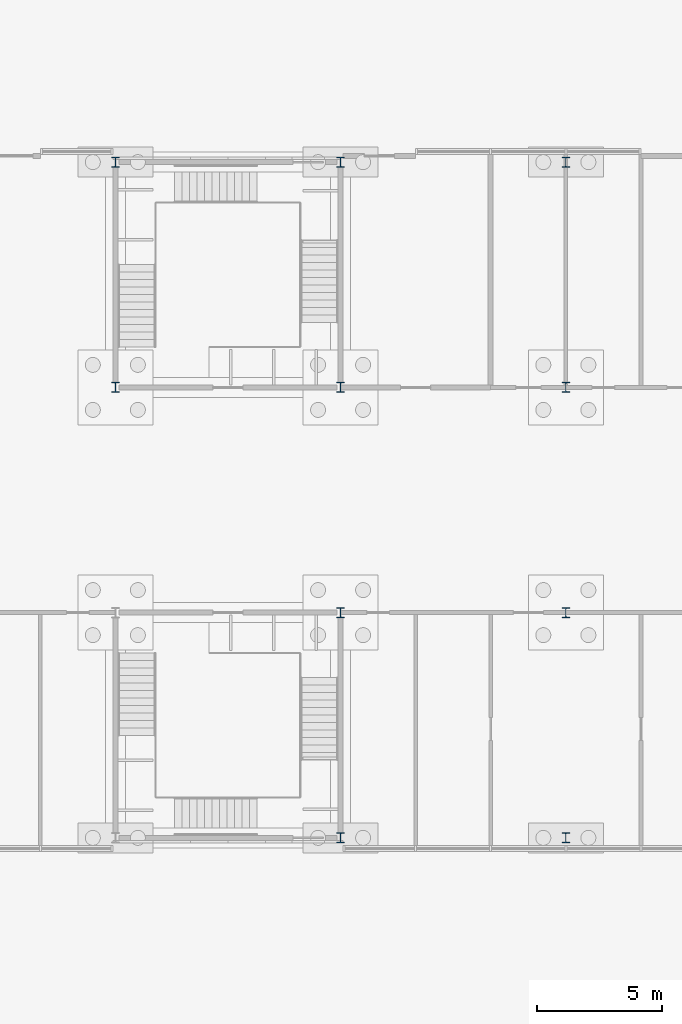
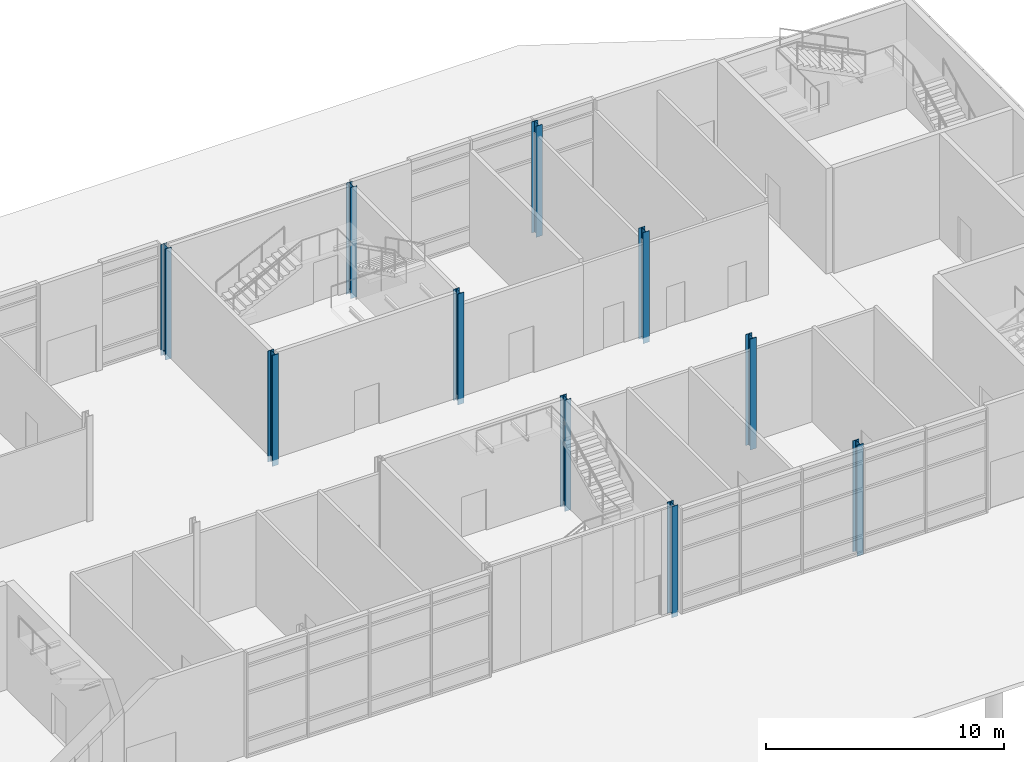
# One storey, part 10 of 45: 10 columns.
"""IFC4 building model written with IfcOpenShell, lengths in metres."""

from ifc_helpers import new_model, si_unit, direction, frame, origin, origin_2d, place, context, subcontext, project, spatial, i_section, extrude, material, material_profile, profile_set, type_object, element, save


model = new_model("IFC4")

# Units and contexts
model_context = context("Model", 3, precision=1e-05, world=origin(), true_north=direction((0.0, 1.0)))
body_context = subcontext(model_context, "Body", "Model", "MODEL_VIEW")
ifc_project = project(units=[si_unit("LENGTHUNIT", "METRE"), si_unit("AREAUNIT", "SQUARE_METRE"), si_unit("VOLUMEUNIT", "CUBIC_METRE"), si_unit("PLANEANGLEUNIT", "RADIAN"), si_unit("MASSUNIT", "GRAM", prefix="KILO")], contexts=[model_context])

# Site, building, storey
site_placement = place(None, origin())
site = spatial("IfcSite", under=ifc_project, at=site_placement, CompositionType="ELEMENT")
building_placement = place(site_placement, origin())
building = spatial("IfcBuilding", under=site, at=building_placement, Name="Azimuth Sports and Learning Centre", CompositionType="ELEMENT")
storey_placement = place(building_placement, origin())
storey = spatial("IfcBuildingStorey", under=building, at=storey_placement, Name="L00", CompositionType="ELEMENT", Elevation=0.0)

# Columns
ifc_material = material(Name="Steel S355", Category="steel")
ifc_material_profile = material_profile(ifc_material, i_section(OverallWidth=0.300048828125, OverallDepth=0.39990234375, WebThickness=0.013427734375, FlangeThickness=0.02392578125, FilletRadius=0.027099609375, at=origin_2d()), Name="HEB 400")
ifc_profile_set = profile_set([ifc_material_profile], Name="Steel S355")
column_type = type_object("IfcColumnType", Name="Column HEB 400", PredefinedType="COLUMN", material=ifc_profile_set)
for number, where, z_axis, x_axis, name in (
    (1, (144.0, 90.0, -0.300048828125), (0.0, 0.0, 1.0), (1.0, 0.0, 0.0), "Column 17L L00"),
    (2, (153.0, 90.0, -0.300048828125), (0.0, 0.0, 1.0), (1.0, 0.0, 0.0), "Column 18L L00"),
    (3, (144.0, 99.0, -0.300048828125), (0.0, 0.0, 1.0), (1.0, 0.0, 0.0), "Column 17M L00"),
    (4, (153.0, 99.0, -0.300048828125), (0.0, 0.0, 1.0), (1.0, 0.0, 0.0), "Column 18M L00"),
    (5, (135.0, 108.0, -0.300048828125), (0.0, 0.0, 1.0), (1.0, 0.0, 0.0), "Column 16N L00"),
    (6, (144.0, 108.0, -0.300048828125), (0.0, 0.0, 1.0), (1.0, 0.0, 0.0), "Column 17N L00"),
    (7, (153.0, 108.0, -0.300048828125), (0.0, 0.0, 1.0), (1.0, 0.0, 0.0), "Column 18N L00"),
    (8, (135.0, 117.0, -0.300048828125), (0.0, 0.0, 1.0), (1.0, 0.0, 0.0), "Column 16P L00"),
    (9, (144.0, 117.0, -0.300048828125), (0.0, 0.0, 1.0), (1.0, 0.0, 0.0), "Column 17P L00"),
    (10, (153.0, 117.0, -0.300048828125), (0.0, 0.0, 1.0), (1.0, 0.0, 0.0), "Column 18P L00"),
):
    element("IfcColumn", number, at=place(storey_placement, frame(where, z_axis=z_axis, x_axis=x_axis)), inside=storey, type_object=column_type, Name=name, PredefinedType="COLUMN", context=body_context, shape_type="SweptSolid", body=[
        extrude(i_section(OverallWidth=0.300048828125, OverallDepth=0.39990234375, WebThickness=0.013427734375, FlangeThickness=0.02392578125, FilletRadius=0.027099609375, at=origin_2d()), origin(), (0.0, 0.0, 1.0), 5.699951171875),
    ])

save(model, "model.ifc")
